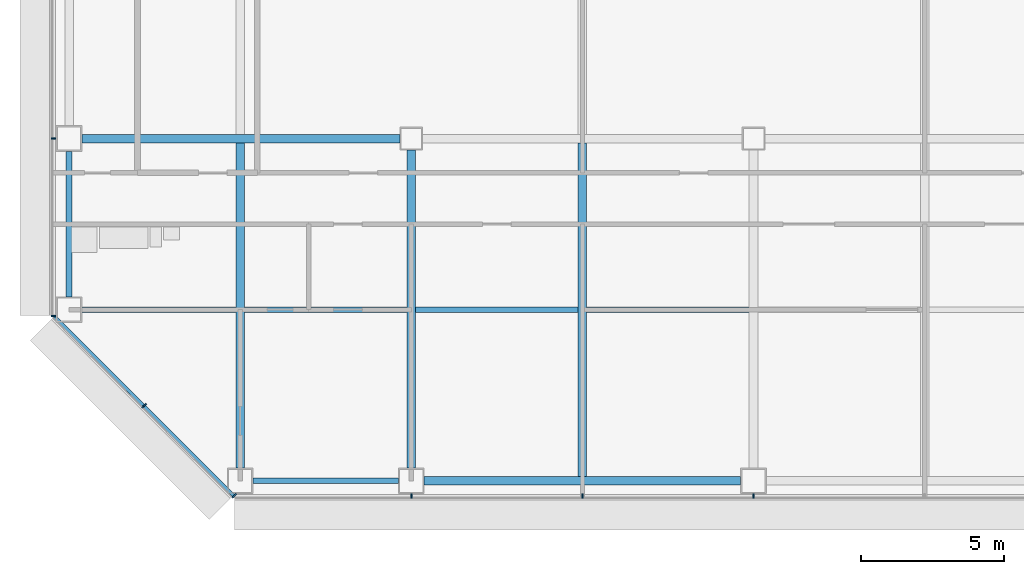
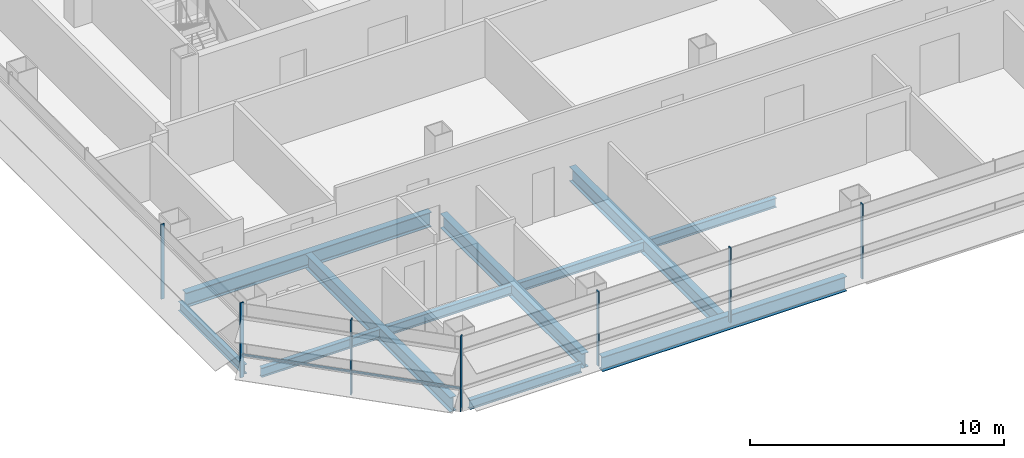
# One storey, part 2 of 27: 11 beams, 8 members, 3 elements without a shape of their own.
"""IFC4 building model written with IfcOpenShell, lengths in metres."""

from ifc_helpers import new_model, si_unit, direction, frame, origin, origin_2d, place, context, subcontext, project, spatial, rectangle, i_section, extrude, material, material_profile, profile_set, type_object, element, aggregate, save


model = new_model("IFC4")

# Units and contexts
model_context = context("Model", 3, precision=1e-05, world=origin(), true_north=direction((0.0, 1.0)))
body_context = subcontext(model_context, "Body", "Model", "MODEL_VIEW")
ifc_project = project(units=[si_unit("LENGTHUNIT", "METRE"), si_unit("AREAUNIT", "SQUARE_METRE"), si_unit("VOLUMEUNIT", "CUBIC_METRE"), si_unit("PLANEANGLEUNIT", "RADIAN"), si_unit("MASSUNIT", "GRAM", prefix="KILO")], contexts=[model_context])

# Site, building, storey
site_placement = place(None, origin())
site = spatial("IfcSite", under=ifc_project, at=site_placement, CompositionType="ELEMENT")
building_placement = place(site_placement, origin())
building = spatial("IfcBuilding", under=site, at=building_placement, Name="Sorahane Residences", CompositionType="ELEMENT")
storey_placement = place(building_placement, frame((0.0, 0.0, 53.39990234375)))
storey = spatial("IfcBuildingStorey", under=building, at=storey_placement, Name="L09", CompositionType="ELEMENT", Elevation=53.39990234375)

# Curtain wall, members
ifc_material_1 = material(Name="Dark low-e glass and black anodised aluminium", Category="aluminium")
curtain_wall_type_1 = type_object("IfcCurtainWallType", Name="Curtain wall CW-1 Typical unitised wall", PredefinedType="NOTDEFINED", material=ifc_material_1)
curtain_wall_1_placement = place(storey_placement, origin())
curtain_wall_1 = element("IfcCurtainWall", 1, at=curtain_wall_1_placement, inside=storey, type_object=curtain_wall_type_1, Name="CW-1 curtain wall L09 S1", PredefinedType="NOTDEFINED")
ifc_material_2 = material(Name="Black anodised aluminium", Category="aluminium")
ifc_material_profile_1 = material_profile(ifc_material_2, rectangle(XDim=0.159912109375, YDim=0.050048828125, at=origin_2d()), Name="Curtain wall mullion CW-1 black anodised aluminium 50x160")
ifc_profile_set_1 = profile_set([ifc_material_profile_1], Name="Black anodised aluminium")
member_type_1 = type_object("IfcMemberType", Name="Curtain wall mullion CW-1 black anodised aluminium 50x160", PredefinedType="MULLION", material=ifc_profile_set_1)
member_1_placement = place(storey_placement, frame((12.0, -0.5400390625, -0.179931640625), z_axis=(0.0, 0.0, 1.0), x_axis=(0.0, -1.0, 0.0)))
member_1 = element("IfcMember", 2, at=member_1_placement, type_object=member_type_1, Name="CW-1 mullion L09 S1.2", PredefinedType="MULLION", context=body_context, shape_type="SweptSolid", body=[
    extrude(rectangle(XDim=0.159912109375, YDim=0.050048828125, at=origin_2d()), origin(), (0.0, 0.0, 1.0), 3.60009765625),
])
member_2_placement = place(storey_placement, frame((18.0, -0.5400390625, -0.179931640625), z_axis=(0.0, 0.0, 1.0), x_axis=(0.0, -1.0, 0.0)))
member_2 = element("IfcMember", 3, at=member_2_placement, type_object=member_type_1, Name="CW-1 mullion L09 S1.3", PredefinedType="MULLION", context=body_context, shape_type="SweptSolid", body=[
    extrude(rectangle(XDim=0.159912109375, YDim=0.050048828125, at=origin_2d()), origin(), (0.0, 0.0, 1.0), 3.60009765625),
])
member_3_placement = place(storey_placement, frame((24.0, -0.5400390625, -0.179931640625), z_axis=(0.0, 0.0, 1.0), x_axis=(0.0, -1.0, 0.0)))
member_3 = element("IfcMember", 4, at=member_3_placement, type_object=member_type_1, Name="CW-1 mullion L09 S1.4", PredefinedType="MULLION", context=body_context, shape_type="SweptSolid", body=[
    extrude(rectangle(XDim=0.159912109375, YDim=0.050048828125, at=origin_2d()), origin(), (0.0, 0.0, 1.0), 3.60009765625),
])
aggregate(curtain_wall_1, [member_1, member_2, member_3])

curtain_wall_2_placement = place(storey_placement, origin())
curtain_wall_2 = element("IfcCurtainWall", 5, at=curtain_wall_2_placement, inside=storey, type_object=curtain_wall_type_1, Name="CW-1 curtain wall L09 W1", PredefinedType="NOTDEFINED")
member_4_placement = place(storey_placement, frame((-0.5400390625, 12.0, -0.179931640625), z_axis=(0.0, 0.0, 1.0), x_axis=(-1.0, 0.0, 0.0)))
member_4 = element("IfcMember", 6, at=member_4_placement, type_object=member_type_1, Name="CW-1 mullion L09 W1.6", PredefinedType="MULLION", context=body_context, shape_type="SweptSolid", body=[
    extrude(rectangle(XDim=0.159912109375, YDim=0.050048828125, at=origin_2d()), origin(), (0.0, 0.0, 1.0), 3.60009765625),
])
member_5_placement = place(storey_placement, frame((-0.5400390625, 5.7763671875, -0.179931640625), z_axis=(0.0, 0.0, 1.0), x_axis=(-1.0, 0.0, 0.0)))
member_5 = element("IfcMember", 7, at=member_5_placement, type_object=member_type_1, Name="CW-1 mullion L09 W1.7", PredefinedType="MULLION", context=body_context, shape_type="SweptSolid", body=[
    extrude(rectangle(XDim=0.159912109375, YDim=0.050048828125, at=origin_2d()), origin(), (0.0, 0.0, 1.0), 3.60009765625),
])
aggregate(curtain_wall_2, [member_4, member_5])

ifc_material_3 = material(Name="Dark low-e glass and black anodised aluminium", Category="aluminium")
curtain_wall_type_2 = type_object("IfcCurtainWallType", Name="Curtain wall CW-2 Chamfer unitised wall", PredefinedType="NOTDEFINED", material=ifc_material_3)
curtain_wall_3_placement = place(storey_placement, origin())
curtain_wall_3 = element("IfcCurtainWall", 8, at=curtain_wall_3_placement, inside=storey, type_object=curtain_wall_type_2, Name="CW-2 curtain wall L09 SW1", PredefinedType="NOTDEFINED")
ifc_material_4 = material(Name="Black anodised aluminium", Category="aluminium")
ifc_material_profile_2 = material_profile(ifc_material_4, rectangle(XDim=0.199951171875, YDim=0.050048828125, at=origin_2d()), Name="Curtain wall mullion CW-2 black anodised aluminium 50x200")
ifc_profile_set_2 = profile_set([ifc_material_profile_2], Name="Black anodised aluminium")
member_type_2 = type_object("IfcMemberType", Name="Curtain wall mullion CW-2 black anodised aluminium 50x200", PredefinedType="MULLION", material=ifc_profile_set_2)
member_6_placement = place(storey_placement, frame((2.63232421875, 2.63232421875, -0.179931640625), z_axis=(0.0, 0.0, 1.0), x_axis=(-0.707106781187, -0.707106781187, 0.0)))
member_6 = element("IfcMember", 9, at=member_6_placement, type_object=member_type_2, Name="CW-2 mullion L09 SW1.2", PredefinedType="MULLION", context=body_context, shape_type="SweptSolid", body=[
    extrude(rectangle(XDim=0.199951171875, YDim=0.050048828125, at=origin_2d()), origin(), (0.0, 0.0, 1.0), 3.60009765625),
])
member_7_placement = place(storey_placement, frame((5.790283203125, -0.525634765625, -0.179931640625), z_axis=(0.0, 0.0, 1.0), x_axis=(-0.707106781187, -0.707106781187, 0.0)))
member_7 = element("IfcMember", 10, at=member_7_placement, type_object=member_type_2, Name="CW-2 mullion L09 SW1.3", PredefinedType="MULLION", context=body_context, shape_type="SweptSolid", body=[
    extrude(rectangle(XDim=0.199951171875, YDim=0.050048828125, at=origin_2d()), origin(), (0.0, 0.0, 1.0), 3.60009765625),
])
ifc_material_5 = material(Name="Black anodised aluminium", Category="aluminium")
ifc_material_profile_3 = material_profile(ifc_material_5, rectangle(XDim=0.10009765625, YDim=0.06005859375, at=origin_2d()), Name="Curtain wall transom CW-2 black anodised aluminium 60x100")
ifc_profile_set_3 = profile_set([ifc_material_profile_3], Name="Black anodised aluminium")
member_type_3 = type_object("IfcMemberType", Name="Curtain wall transom CW-2 black anodised aluminium 60x100", PredefinedType="USERDEFINED", material=ifc_profile_set_3)
member_8_placement = place(storey_placement, frame((-0.51513671875, 5.765625, 0.900146484375), z_axis=(0.707106781187, -0.707106781187, 0.0), x_axis=(0.707106781187, 0.707106781187, 0.0)))
member_8 = element("IfcMember", 11, at=member_8_placement, type_object=member_type_3, Name="CW-2 transom L09 SW1", ObjectType="TRANSOM", PredefinedType="USERDEFINED", context=body_context, shape_type="SweptSolid", body=[
    extrude(rectangle(XDim=0.10009765625, YDim=0.06005859375, at=origin_2d()), origin(), (0.0, 0.0, 1.0), 8.88232421875),
])
aggregate(curtain_wall_3, [member_6, member_7, member_8])

# Beams
ifc_material_6 = material(Name="Steel Q355B", Category="steel")
ifc_material_profile_4 = material_profile(ifc_material_6, i_section(OverallWidth=0.199951171875, OverallDepth=0.449951171875, WebThickness=0.009033203125, FlangeThickness=0.013916015625, FilletRadius=0.02001953125, at=origin_2d()), Name="HN 450x200x9x14")
ifc_profile_set_4 = profile_set([ifc_material_profile_4], Name="Steel Q355B")
beam_type_1 = type_object("IfcBeamType", Name="Steel floor beam HN 450x200x9x14 Q355B", PredefinedType="BEAM", material=ifc_profile_set_4)
for number, where, z_axis, x_axis, name in (
    (12, (6.449951171875, 0.0, -0.40478515625), (1.0, 0.0, 0.0), (0.0, 1.0, 0.0), "Beam L09 000"),
    (13, (0.0, 6.449951171875, -0.40478515625), (0.0, 1.0, 0.0), (-1.0, 0.0, 0.0), "Beam L09 017"),
):
    element("IfcBeam", number, at=place(storey_placement, frame(where, z_axis=z_axis, x_axis=x_axis)), inside=storey, type_object=beam_type_1, Name=name, PredefinedType="BEAM", context=body_context, shape_type="SweptSolid", body=[
        extrude(i_section(OverallWidth=0.199951171875, OverallDepth=0.449951171875, WebThickness=0.009033203125, FlangeThickness=0.013916015625, FilletRadius=0.02001953125, at=origin_2d()), origin(), (0.0, 0.0, 1.0), 5.10009765625),
    ])
beam_1_placement = place(storey_placement, frame((0.449951171875, 6.0, -0.40478515625), z_axis=(1.0, 0.0, 0.0), x_axis=(0.0, 1.0, 0.0)))
element("IfcBeam", 14, at=beam_1_placement, inside=storey, type_object=beam_type_1, Name="Beam L09 061", PredefinedType="BEAM", context=body_context, shape_type="SweptSolid", body=[
    extrude(i_section(OverallWidth=0.199951171875, OverallDepth=0.449951171875, WebThickness=0.009033203125, FlangeThickness=0.013916015625, FilletRadius=0.02001953125, at=origin_2d()), origin(), (0.0, 0.0, 1.0), 5.400146484375),
])
for number, where, z_axis, x_axis, name in (
    (15, (6.14990234375, 6.0, -0.40478515625), (1.0, 0.0, 0.0), (0.0, 1.0, 0.0), "Beam L09 062"),
    (16, (12.14990234375, 6.0, -0.40478515625), (1.0, 0.0, 0.0), (0.0, 1.0, 0.0), "Beam L09 063"),
    (17, (18.14990234375, 6.0, -0.40478515625), (1.0, 0.0, 0.0), (0.0, 1.0, 0.0), "Beam L09 064"),
):
    element("IfcBeam", number, at=place(storey_placement, frame(where, z_axis=z_axis, x_axis=x_axis)), inside=storey, type_object=beam_type_1, Name=name, PredefinedType="BEAM", context=body_context, shape_type="SweptSolid", body=[
        extrude(i_section(OverallWidth=0.199951171875, OverallDepth=0.449951171875, WebThickness=0.009033203125, FlangeThickness=0.013916015625, FilletRadius=0.02001953125, at=origin_2d()), origin(), (0.0, 0.0, 1.0), 5.7001953125),
    ])
ifc_material_7 = material(Name="Steel Q355B", Category="steel")
ifc_material_profile_5 = material_profile(ifc_material_7, i_section(OverallWidth=0.300048828125, OverallDepth=0.699951171875, WebThickness=0.012939453125, FlangeThickness=0.02392578125, FilletRadius=0.028076171875, at=origin_2d()), Name="HN 700x300x13x24")
ifc_profile_set_5 = profile_set([ifc_material_profile_5], Name="Steel Q355B")
beam_type_2 = type_object("IfcBeamType", Name="Steel floor beam HN 700x300x13x24 Q355B", PredefinedType="BEAM", material=ifc_profile_set_5)
beam_2_placement = place(storey_placement, frame((12.449951171875, 0.0, -0.52978515625), z_axis=(1.0, 0.0, 0.0), x_axis=(0.0, 1.0, 0.0)))
element("IfcBeam", 18, at=beam_2_placement, inside=storey, type_object=beam_type_2, Name="Beam L09 001", PredefinedType="BEAM", context=body_context, shape_type="SweptSolid", body=[
    extrude(i_section(OverallWidth=0.300048828125, OverallDepth=0.699951171875, WebThickness=0.012939453125, FlangeThickness=0.02392578125, FilletRadius=0.028076171875, at=origin_2d()), origin(), (0.0, 0.0, 1.0), 11.10009765625),
])
beam_3_placement = place(storey_placement, frame((0.449951171875, 12.0, -0.52978515625), z_axis=(1.0, 0.0, 0.0), x_axis=(0.0, 1.0, 0.0)))
element("IfcBeam", 19, at=beam_3_placement, inside=storey, type_object=beam_type_2, Name="Beam L09 005", PredefinedType="BEAM", context=body_context, shape_type="SweptSolid", body=[
    extrude(i_section(OverallWidth=0.300048828125, OverallDepth=0.699951171875, WebThickness=0.012939453125, FlangeThickness=0.02392578125, FilletRadius=0.028076171875, at=origin_2d()), origin(), (0.0, 0.0, 1.0), 11.150146484375),
])
beam_4_placement = place(storey_placement, frame((6.0, 0.449951171875, -0.52978515625), z_axis=(0.0, 1.0, 0.0), x_axis=(-1.0, 0.0, 0.0)))
element("IfcBeam", 20, at=beam_4_placement, inside=storey, type_object=beam_type_2, Name="Beam L09 021", PredefinedType="BEAM", context=body_context, shape_type="SweptSolid", body=[
    extrude(i_section(OverallWidth=0.300048828125, OverallDepth=0.699951171875, WebThickness=0.012939453125, FlangeThickness=0.02392578125, FilletRadius=0.028076171875, at=origin_2d()), origin(), (0.0, 0.0, 1.0), 11.400146484375),
])
beam_5_placement = place(storey_placement, frame((12.0, 0.449951171875, -0.52978515625), z_axis=(0.0, 1.0, 0.0), x_axis=(-1.0, 0.0, 0.0)))
element("IfcBeam", 21, at=beam_5_placement, inside=storey, type_object=beam_type_2, Name="Beam L09 027", PredefinedType="BEAM", context=body_context, shape_type="SweptSolid", body=[
    extrude(i_section(OverallWidth=0.300048828125, OverallDepth=0.699951171875, WebThickness=0.012939453125, FlangeThickness=0.02392578125, FilletRadius=0.028076171875, at=origin_2d()), origin(), (0.0, 0.0, 1.0), 11.150146484375),
])
beam_6_placement = place(storey_placement, frame((18.0, 0.14990234375, -0.52978515625), z_axis=(0.0, 1.0, 0.0), x_axis=(-1.0, 0.0, 0.0)))
element("IfcBeam", 22, at=beam_6_placement, inside=storey, type_object=beam_type_2, Name="Beam L09 029", PredefinedType="BEAM", context=body_context, shape_type="SweptSolid", body=[
    extrude(i_section(OverallWidth=0.300048828125, OverallDepth=0.699951171875, WebThickness=0.012939453125, FlangeThickness=0.02392578125, FilletRadius=0.028076171875, at=origin_2d()), origin(), (0.0, 0.0, 1.0), 11.7001953125),
])

save(model, "model.ifc")
